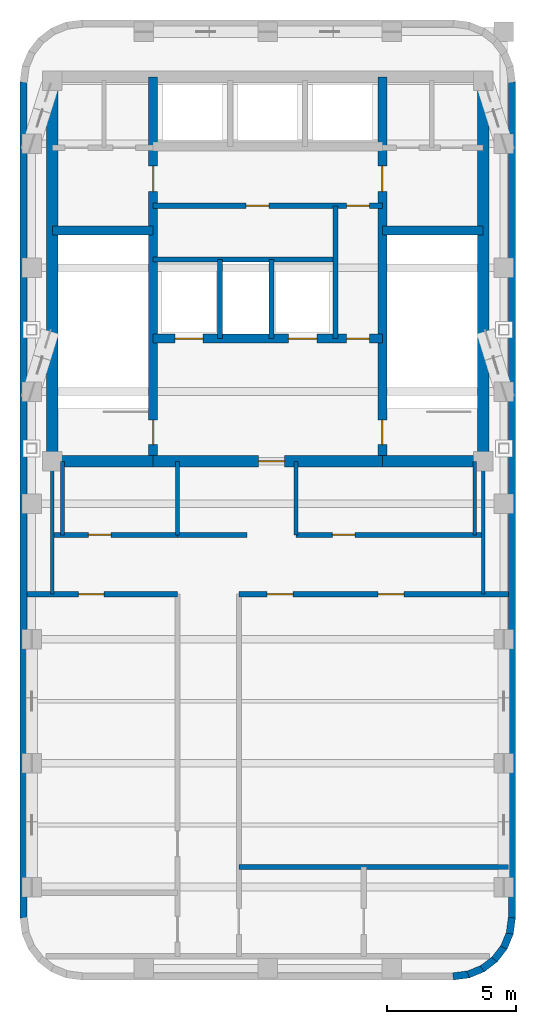
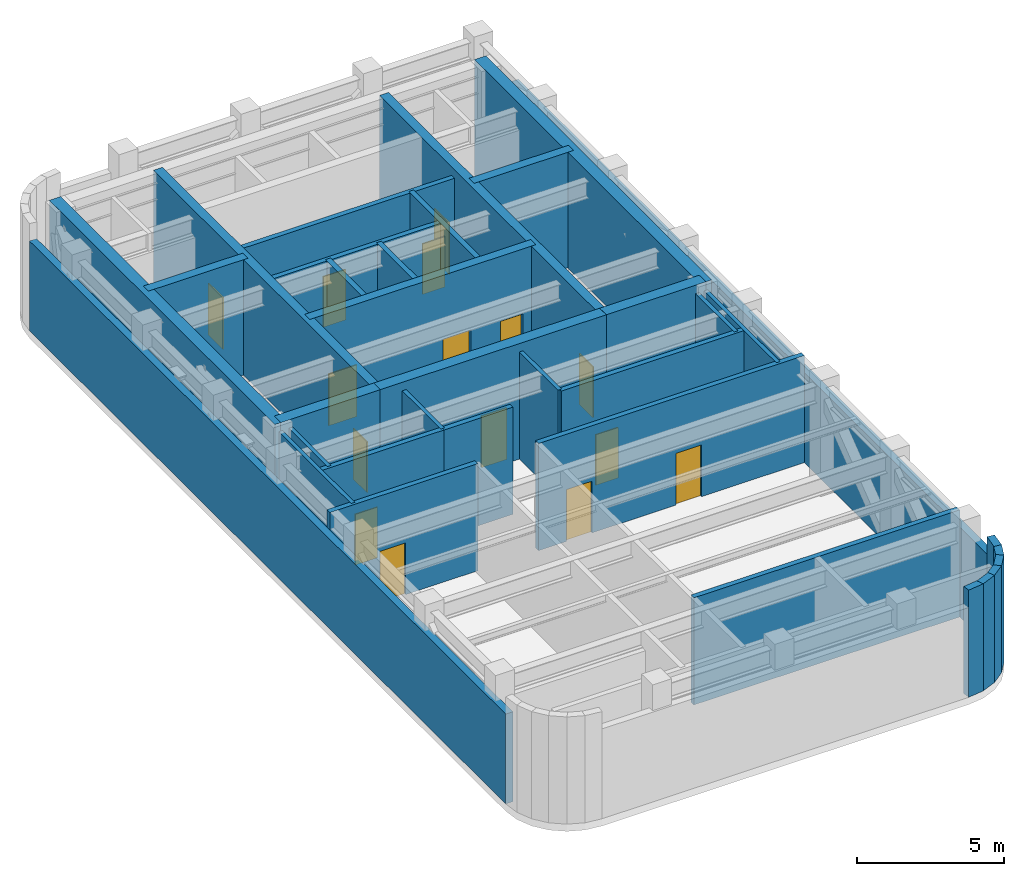
# One storey, part 3 of 5: 35 walls, 15 doors, 15 openings.
"""IFC4 building model written with IfcOpenShell, lengths in metres."""

from ifc_helpers import new_model, si_unit, direction, frame, frame_2d, origin, place, context, subcontext, project, spatial, rectangle, extrude, material, layer, layer_set, type_object, element, fill, save


model = new_model("IFC4")

# Units and contexts
model_context = context("Model", 3, precision=1e-05, world=origin(), true_north=direction((0.0, 1.0)))
body_context = subcontext(model_context, "Body", "Model", "MODEL_VIEW")
ifc_project = project(units=[si_unit("LENGTHUNIT", "METRE"), si_unit("AREAUNIT", "SQUARE_METRE"), si_unit("VOLUMEUNIT", "CUBIC_METRE"), si_unit("PLANEANGLEUNIT", "RADIAN"), si_unit("MASSUNIT", "GRAM", prefix="KILO")], contexts=[model_context])

# Site, building, storey
site_placement = place(None, origin())
site = spatial("IfcSite", under=ifc_project, at=site_placement, CompositionType="ELEMENT")
building_placement = place(site_placement, origin())
building = spatial("IfcBuilding", under=site, at=building_placement, Name="Orvandelia Arch Residences", CompositionType="ELEMENT")
storey_placement = place(building_placement, frame((0.0, 0.0, 296.199951171875)))
storey = spatial("IfcBuildingStorey", under=building, at=storey_placement, Name="L76", CompositionType="ELEMENT", Elevation=296.199951171875)

# Wall, openings, doors
ifc_material_1 = material(Name="Concrete C50/60", Category="concrete")
ifc_layer_1 = layer(ifc_material_1, 0.35009765625, Name="Concrete C50/60", Category="concrete")
ifc_layer_set_1 = layer_set([ifc_layer_1], Name="Concrete C50/60")
wall_type_1 = type_object("IfcWallType", Name="WL-CORE-350", PredefinedType="SHEAR", material=ifc_layer_set_1)
wall_1_placement = place(storey_placement, frame((9.9599609375, 30.89990234375, 0.0), z_axis=(0.0, 0.0, 1.0), x_axis=(0.0, 1.0, 0.0)))
wall_1 = element("IfcWall", 1, at=wall_1_placement, inside=storey, type_object=wall_type_1, Name="Core Shear Wall L76-WEB1", PredefinedType="SHEAR", context=body_context, shape_type="SweptSolid", body=[
    extrude(rectangle(XDim=14.900146484375, YDim=0.35009765625, at=frame_2d((7.4501953125, 0.0))), origin(), (0.0, 0.0, 1.0), 4.800048828125),
])
opening_1_placement = place(wall_1_placement, frame((0.64990234375, 0.0, 0.0)))
opening_1 = element("IfcOpeningElement", 2, at=opening_1_placement, cuts=wall_1, Name="Opening D7", PredefinedType="OPENING", context=body_context, shape_type="SweptSolid", body=[
    extrude(rectangle(XDim=0.949951171875, YDim=2.10009765625, at=frame_2d((0.47509765625, 1.050048828125))), frame((0.0, 0.18505859375, 0.0), z_axis=(0.0, -1.0, 0.0), x_axis=(1.0, 0.0, 0.0)), (0.0, 0.0, 1.0), 0.3701171875),
])
opening_2_placement = place(wall_1_placement, frame((10.449951171875, 0.0, 0.0)))
opening_2 = element("IfcOpeningElement", 3, at=opening_2_placement, cuts=wall_1, Name="Opening D6", PredefinedType="OPENING", context=body_context, shape_type="SweptSolid", body=[
    extrude(rectangle(XDim=1.0, YDim=2.14990234375, at=frame_2d((0.5, 1.074951171875))), frame((0.0, 0.18505859375, 0.0), z_axis=(0.0, -1.0, 0.0), x_axis=(1.0, 0.0, 0.0)), (0.0, 0.0, 1.0), 0.3701171875),
])
ifc_material_2 = material(Name="Smokeproof Painted Steel Fire Door", Category="steel")
door_type_1 = type_object("IfcDoorType", Name="DR-FD60-1000", OperationType="NOTDEFINED", PredefinedType="DOOR", material=ifc_material_2)
door_1_placement = place(opening_2_placement, origin())
door_1 = element("IfcDoor", 4, at=door_1_placement, inside=storey, type_object=door_type_1, Name="High-Rise Lift Hall West Vestibule Door L76", OperationType="SINGLE_SWING_LEFT", OverallHeight=2.14990234375, OverallWidth=1.0, PredefinedType="DOOR", context=body_context, shape_type="SweptSolid", body=[
    extrude(rectangle(XDim=1.0, YDim=2.14990234375, at=frame_2d((0.5, 1.074951171875))), frame((0.0, 0.02490234375, 0.0), z_axis=(0.0, -1.0, 0.0), x_axis=(1.0, 0.0, 0.0)), (0.0, 0.0, 1.0), 0.050048828125),
])
fill(opening_2, door_1)
ifc_material_3 = material(Name="Pressurised Stairwell Fire Door")
door_type_2 = type_object("IfcDoorType", Name="DR-STAIR-950", OperationType="NOTDEFINED", PredefinedType="DOOR", material=ifc_material_3)
door_2_placement = place(opening_1_placement, origin())
door_2 = element("IfcDoor", 5, at=door_2_placement, inside=storey, type_object=door_type_2, Name="Stairwell ST-1 Fire Door L76", OperationType="SINGLE_SWING_LEFT", OverallHeight=2.10009765625, OverallWidth=0.949951171875, PredefinedType="DOOR", context=body_context, shape_type="SweptSolid", body=[
    extrude(rectangle(XDim=0.949951171875, YDim=2.10009765625, at=frame_2d((0.47509765625, 1.050048828125))), frame((0.0, 0.02490234375, 0.0), z_axis=(0.0, -1.0, 0.0), x_axis=(1.0, 0.0, 0.0)), (0.0, 0.0, 1.0), 0.050048828125),
])
fill(opening_1, door_2)

wall_2_placement = place(storey_placement, frame((18.840087890625, 30.89990234375, 0.0), z_axis=(0.0, 0.0, 1.0), x_axis=(0.0, 1.0, 0.0)))
wall_2 = element("IfcWall", 6, at=wall_2_placement, inside=storey, type_object=wall_type_1, Name="Core Shear Wall L76-WEB2", PredefinedType="SHEAR", context=body_context, shape_type="SweptSolid", body=[
    extrude(rectangle(XDim=14.900146484375, YDim=0.35009765625, at=frame_2d((7.4501953125, 0.0))), origin(), (0.0, 0.0, 1.0), 4.800048828125),
])
opening_3_placement = place(wall_2_placement, frame((0.64990234375, 0.0, 0.0)))
opening_3 = element("IfcOpeningElement", 7, at=opening_3_placement, cuts=wall_2, Name="Opening D7", PredefinedType="OPENING", context=body_context, shape_type="SweptSolid", body=[
    extrude(rectangle(XDim=0.949951171875, YDim=2.10009765625, at=frame_2d((0.47509765625, 1.050048828125))), frame((0.0, 0.18505859375, 0.0), z_axis=(0.0, -1.0, 0.0), x_axis=(1.0, 0.0, 0.0)), (0.0, 0.0, 1.0), 0.3701171875),
])
opening_4_placement = place(wall_2_placement, frame((10.449951171875, 0.0, 0.0)))
opening_4 = element("IfcOpeningElement", 8, at=opening_4_placement, cuts=wall_2, Name="Opening D6", PredefinedType="OPENING", context=body_context, shape_type="SweptSolid", body=[
    extrude(rectangle(XDim=1.0, YDim=2.14990234375, at=frame_2d((0.5, 1.074951171875))), frame((0.0, 0.18505859375, 0.0), z_axis=(0.0, -1.0, 0.0), x_axis=(1.0, 0.0, 0.0)), (0.0, 0.0, 1.0), 0.3701171875),
])
door_3_placement = place(opening_4_placement, origin())
door_3 = element("IfcDoor", 9, at=door_3_placement, inside=storey, type_object=door_type_1, Name="High-Rise Lift Hall East Vestibule Door L76", OperationType="SINGLE_SWING_RIGHT", OverallHeight=2.14990234375, OverallWidth=1.0, PredefinedType="DOOR", context=body_context, shape_type="SweptSolid", body=[
    extrude(rectangle(XDim=1.0, YDim=2.14990234375, at=frame_2d((0.5, 1.074951171875))), frame((0.0, 0.02490234375, 0.0), z_axis=(0.0, -1.0, 0.0), x_axis=(1.0, 0.0, 0.0)), (0.0, 0.0, 1.0), 0.050048828125),
])
fill(opening_4, door_3)
door_4_placement = place(opening_3_placement, origin())
door_4 = element("IfcDoor", 10, at=door_4_placement, inside=storey, type_object=door_type_2, Name="Stairwell ST-2 Fire Door L76", OperationType="SINGLE_SWING_RIGHT", OverallHeight=2.10009765625, OverallWidth=0.949951171875, PredefinedType="DOOR", context=body_context, shape_type="SweptSolid", body=[
    extrude(rectangle(XDim=0.949951171875, YDim=2.10009765625, at=frame_2d((0.47509765625, 1.050048828125))), frame((0.0, 0.02490234375, 0.0), z_axis=(0.0, -1.0, 0.0), x_axis=(1.0, 0.0, 0.0)), (0.0, 0.0, 1.0), 0.050048828125),
])
fill(opening_3, door_4)

# Walls
for number, where, z_axis, x_axis, name in (
    (11, (6.050048828125, 39.85009765625, 0.0), (0.0, 0.0, 1.0), (1.0, 0.0, 0.0), "Core Shear Wall L76-HZ1"),
    (12, (18.840087890625, 39.85009765625, 0.0), (0.0, 0.0, 1.0), (1.0, 0.0, 0.0), "Core Shear Wall L76-HZ2"),
):
    element("IfcWall", number, at=place(storey_placement, frame(where, z_axis=z_axis, x_axis=x_axis)), inside=storey, type_object=wall_type_1, Name=name, PredefinedType="SHEAR", context=body_context, shape_type="SweptSolid", body=[
        extrude(rectangle(XDim=3.909912109375, YDim=0.35009765625, at=frame_2d((1.955078125, 0.0))), origin(), (0.0, 0.0, 1.0), 4.800048828125),
    ])

# Wall, openings, doors
wall_3_placement = place(storey_placement, frame((9.9599609375, 35.64990234375, 0.0), z_axis=(0.0, 0.0, 1.0), x_axis=(1.0, 0.0, 0.0)))
wall_3 = element("IfcWall", 13, at=wall_3_placement, inside=storey, type_object=wall_type_1, Name="Core Shear Wall L76-HZ3", PredefinedType="SHEAR", context=body_context, shape_type="SweptSolid", body=[
    extrude(rectangle(XDim=8.880126953125, YDim=0.35009765625, at=frame_2d((4.43994140625, 0.0))), origin(), (0.0, 0.0, 1.0), 4.800048828125),
])
opening_5_placement = place(wall_3_placement, frame((0.840087890625, 0.0, 0.0)))
opening_5 = element("IfcOpeningElement", 14, at=opening_5_placement, cuts=wall_3, Name="Opening FLD", PredefinedType="OPENING", context=body_context, shape_type="SweptSolid", body=[
    extrude(rectangle(XDim=1.10009765625, YDim=2.14990234375, at=frame_2d((0.550048828125, 1.074951171875))), frame((0.0, 0.18505859375, 0.0), z_axis=(0.0, -1.0, 0.0), x_axis=(1.0, 0.0, 0.0)), (0.0, 0.0, 1.0), 0.3701171875),
])
opening_6_placement = place(wall_3_placement, frame((5.239990234375, 0.0, 0.0)))
opening_6 = element("IfcOpeningElement", 15, at=opening_6_placement, cuts=wall_3, Name="Opening FLD", PredefinedType="OPENING", context=body_context, shape_type="SweptSolid", body=[
    extrude(rectangle(XDim=1.10009765625, YDim=2.14990234375, at=frame_2d((0.550048828125, 1.074951171875))), frame((0.0, 0.18505859375, 0.0), z_axis=(0.0, -1.0, 0.0), x_axis=(1.0, 0.0, 0.0)), (0.0, 0.0, 1.0), 0.3701171875),
])
opening_7_placement = place(wall_3_placement, frame((7.5, 0.0, 0.0)))
opening_7 = element("IfcOpeningElement", 16, at=opening_7_placement, cuts=wall_3, Name="Opening D5", PredefinedType="OPENING", context=body_context, shape_type="SweptSolid", body=[
    extrude(rectangle(XDim=0.8798828125, YDim=2.10009765625, at=frame_2d((0.43994140625, 1.050048828125))), frame((0.0, 0.18505859375, 0.0), z_axis=(0.0, -1.0, 0.0), x_axis=(1.0, 0.0, 0.0)), (0.0, 0.0, 1.0), 0.3701171875),
])
ifc_material_4 = material(Name="Firefighting Lift Stainless Sliding Door")
door_type_3 = type_object("IfcDoorType", Name="DR-FLFT-1100", OperationType="NOTDEFINED", PredefinedType="DOOR", material=ifc_material_4)
door_5_placement = place(opening_5_placement, origin())
door_5 = element("IfcDoor", 17, at=door_5_placement, inside=storey, type_object=door_type_3, Name="Firefighting Lift Landing Door FLD-FL1-L76", OperationType="SLIDING_TO_LEFT", OverallHeight=2.14990234375, OverallWidth=1.10009765625, PredefinedType="DOOR", context=body_context, shape_type="SweptSolid", body=[
    extrude(rectangle(XDim=1.10009765625, YDim=2.14990234375, at=frame_2d((0.550048828125, 1.074951171875))), frame((0.0, 0.02490234375, 0.0), z_axis=(0.0, -1.0, 0.0), x_axis=(1.0, 0.0, 0.0)), (0.0, 0.0, 1.0), 0.050048828125),
])
fill(opening_5, door_5)
door_6_placement = place(opening_6_placement, origin())
door_6 = element("IfcDoor", 18, at=door_6_placement, inside=storey, type_object=door_type_3, Name="Firefighting Lift Landing Door FLD-FL2-L76", OperationType="SLIDING_TO_RIGHT", OverallHeight=2.14990234375, OverallWidth=1.10009765625, PredefinedType="DOOR", context=body_context, shape_type="SweptSolid", body=[
    extrude(rectangle(XDim=1.10009765625, YDim=2.14990234375, at=frame_2d((0.550048828125, 1.074951171875))), frame((0.0, 0.02490234375, 0.0), z_axis=(0.0, -1.0, 0.0), x_axis=(1.0, 0.0, 0.0)), (0.0, 0.0, 1.0), 0.050048828125),
])
fill(opening_6, door_6)
ifc_material_5 = material(Name="Painted Galvanised Steel Service Door", Category="steel")
door_type_4 = type_object("IfcDoorType", Name="DR-SRV-880", OperationType="NOTDEFINED", PredefinedType="DOOR", material=ifc_material_5)
door_7_placement = place(opening_7_placement, origin())
door_7 = element("IfcDoor", 19, at=door_7_placement, inside=storey, type_object=door_type_4, Name="Core Stairway Passage South Fire Door L76", OperationType="SINGLE_SWING_LEFT", OverallHeight=2.10009765625, OverallWidth=0.8798828125, PredefinedType="DOOR", context=body_context, shape_type="SweptSolid", body=[
    extrude(rectangle(XDim=0.8798828125, YDim=2.10009765625, at=frame_2d((0.43994140625, 1.050048828125))), frame((0.0, 0.02490234375, 0.0), z_axis=(0.0, -1.0, 0.0), x_axis=(1.0, 0.0, 0.0)), (0.0, 0.0, 1.0), 0.050048828125),
])
fill(opening_7, door_7)

# Walls
ifc_layer_2 = layer(ifc_material_1, 0.449951171875, Name="Concrete C50/60", Category="concrete")
ifc_layer_set_2 = layer_set([ifc_layer_2], Name="Concrete C50/60")
wall_type_2 = type_object("IfcWallType", Name="WL-CORE-450", PredefinedType="SHEAR", material=ifc_layer_set_2)
for number, where, z_axis, x_axis, name in (
    (20, (6.050048828125, 30.675048828125, 0.0), (0.0, 0.0, 1.0), (0.0, 1.0, 0.0), "Core Shear Wall L76-W"),
    (21, (22.75, 30.675048828125, 0.0), (0.0, 0.0, 1.0), (0.0, 1.0, 0.0), "Core Shear Wall L76-E"),
):
    element("IfcWall", number, at=place(storey_placement, frame(where, z_axis=z_axis, x_axis=x_axis)), inside=storey, type_object=wall_type_2, Name=name, PredefinedType="SHEAR", context=body_context, shape_type="SweptSolid", body=[
        extrude(rectangle(XDim=15.349853515625, YDim=0.449951171875, at=frame_2d((7.6748046875, 0.0))), origin(), (0.0, 0.0, 1.0), 4.800048828125),
    ])
wall_4_placement = place(storey_placement, frame((6.050048828125, 30.89990234375, 0.0), z_axis=(0.0, 0.0, 1.0), x_axis=(1.0, 0.0, 0.0)))
element("IfcWall", 22, at=wall_4_placement, inside=storey, type_object=wall_type_2, Name="Core Shear Wall L76-SW", PredefinedType="SHEAR", context=body_context, shape_type="SweptSolid", body=[
    extrude(rectangle(XDim=3.909912109375, YDim=0.449951171875, at=frame_2d((1.955078125, 0.0))), origin(), (0.0, 0.0, 1.0), 4.800048828125),
])

# Wall, opening, door
wall_5_placement = place(storey_placement, frame((9.9599609375, 30.89990234375, 0.0), z_axis=(0.0, 0.0, 1.0), x_axis=(1.0, 0.0, 0.0)))
wall_5 = element("IfcWall", 23, at=wall_5_placement, inside=storey, type_object=wall_type_2, Name="Core Shear Wall L76-SM", PredefinedType="SHEAR", context=body_context, shape_type="SweptSolid", body=[
    extrude(rectangle(XDim=8.880126953125, YDim=0.449951171875, at=frame_2d((4.43994140625, 0.0))), origin(), (0.0, 0.0, 1.0), 4.800048828125),
])
opening_8_placement = place(wall_5_placement, frame((4.090087890625, 0.0, 0.0)))
opening_8 = element("IfcOpeningElement", 24, at=opening_8_placement, cuts=wall_5, Name="Opening D6", PredefinedType="OPENING", context=body_context, shape_type="SweptSolid", body=[
    extrude(rectangle(XDim=1.0, YDim=2.14990234375, at=frame_2d((0.5, 1.074951171875))), frame((0.0, 0.23486328125, 0.0), z_axis=(0.0, -1.0, 0.0), x_axis=(1.0, 0.0, 0.0)), (0.0, 0.0, 1.0), 0.469970703125),
])
door_8_placement = place(opening_8_placement, origin())
door_8 = element("IfcDoor", 25, at=door_8_placement, inside=storey, type_object=door_type_1, Name="Firefighting Lobby Smokeproof Door L76", OperationType="SINGLE_SWING_LEFT", OverallHeight=2.14990234375, OverallWidth=1.0, PredefinedType="DOOR", context=body_context, shape_type="SweptSolid", body=[
    extrude(rectangle(XDim=1.0, YDim=2.14990234375, at=frame_2d((0.5, 1.074951171875))), frame((0.0, 0.02490234375, 0.0), z_axis=(0.0, -1.0, 0.0), x_axis=(1.0, 0.0, 0.0)), (0.0, 0.0, 1.0), 0.050048828125),
])
fill(opening_8, door_8)

# Wall
wall_6_placement = place(storey_placement, frame((18.840087890625, 30.89990234375, 0.0), z_axis=(0.0, 0.0, 1.0), x_axis=(1.0, 0.0, 0.0)))
element("IfcWall", 26, at=wall_6_placement, inside=storey, type_object=wall_type_2, Name="Core Shear Wall L76-SE", PredefinedType="SHEAR", context=body_context, shape_type="SweptSolid", body=[
    extrude(rectangle(XDim=3.909912109375, YDim=0.449951171875, at=frame_2d((1.955078125, 0.0))), origin(), (0.0, 0.0, 1.0), 4.800048828125),
])

# Wall, opening, door
ifc_material_6 = material(Name="Fire-Rated Corridor Partition")
ifc_layer_3 = layer(ifc_material_6, 0.199951171875, Name="Fire-Rated Corridor Partition")
ifc_layer_set_3 = layer_set([ifc_layer_3], Name="Fire-Rated Corridor Partition")
wall_type_3 = type_object("IfcWallType", Name="WL-CORR-200", PredefinedType="PARTITIONING", material=ifc_layer_set_3)
wall_7_placement = place(storey_placement, frame((6.050048828125, 28.050048828125, 0.0), z_axis=(0.0, 0.0, 1.0), x_axis=(1.0, 0.0, 0.0)))
wall_7 = element("IfcWall", 27, at=wall_7_placement, inside=storey, type_object=wall_type_3, Name="Interior Partition Wall WL-L76-HI-N1S", PredefinedType="PARTITIONING", context=body_context, shape_type="SweptSolid", body=[
    extrude(rectangle(XDim=4.849853515625, YDim=0.199951171875, at=frame_2d((2.4248046875, 0.0))), origin(), (0.0, 0.0, 1.0), 4.449951171875),
])
opening_9_placement = place(wall_7_placement, frame((1.39990234375, 0.0, 0.0)))
opening_9 = element("IfcOpeningElement", 28, at=opening_9_placement, cuts=wall_7, Name="Opening D5", PredefinedType="OPENING", context=body_context, shape_type="SweptSolid", body=[
    extrude(rectangle(XDim=0.8798828125, YDim=2.10009765625, at=frame_2d((0.43994140625, 1.050048828125))), frame((0.0, 0.10986328125, 0.0), z_axis=(0.0, -1.0, 0.0), x_axis=(1.0, 0.0, 0.0)), (0.0, 0.0, 1.0), 0.219970703125),
])
door_9_placement = place(opening_9_placement, origin())
door_9 = element("IfcDoor", 29, at=door_9_placement, inside=storey, type_object=door_type_4, Name="DR-L76-HIR1", OperationType="SINGLE_SWING_LEFT", OverallHeight=2.10009765625, OverallWidth=0.8798828125, PredefinedType="DOOR", context=body_context, shape_type="SweptSolid", body=[
    extrude(rectangle(XDim=0.8798828125, YDim=2.10009765625, at=frame_2d((0.43994140625, 1.050048828125))), frame((0.0, 0.02490234375, 0.0), z_axis=(0.0, -1.0, 0.0), x_axis=(1.0, 0.0, 0.0)), (0.0, 0.0, 1.0), 0.050048828125),
])
fill(opening_9, door_9)

wall_8_placement = place(storey_placement, frame((15.5, 28.050048828125, 0.0), z_axis=(0.0, 0.0, 1.0), x_axis=(1.0, 0.0, 0.0)))
wall_8 = element("IfcWall", 30, at=wall_8_placement, inside=storey, type_object=wall_type_3, Name="Interior Partition Wall WL-L76-HI-N2S", PredefinedType="PARTITIONING", context=body_context, shape_type="SweptSolid", body=[
    extrude(rectangle(XDim=7.25, YDim=0.199951171875, at=frame_2d((3.625, 0.0))), origin(), (0.0, 0.0, 1.0), 4.449951171875),
])
opening_10_placement = place(wall_8_placement, frame((1.39990234375, 0.0, 0.0)))
opening_10 = element("IfcOpeningElement", 31, at=opening_10_placement, cuts=wall_8, Name="Opening D5", PredefinedType="OPENING", context=body_context, shape_type="SweptSolid", body=[
    extrude(rectangle(XDim=0.8798828125, YDim=2.10009765625, at=frame_2d((0.43994140625, 1.050048828125))), frame((0.0, 0.10986328125, 0.0), z_axis=(0.0, -1.0, 0.0), x_axis=(1.0, 0.0, 0.0)), (0.0, 0.0, 1.0), 0.219970703125),
])
door_10_placement = place(opening_10_placement, origin())
door_10 = element("IfcDoor", 32, at=door_10_placement, inside=storey, type_object=door_type_4, Name="DR-L76-HIR2", OperationType="SINGLE_SWING_RIGHT", OverallHeight=2.10009765625, OverallWidth=0.8798828125, PredefinedType="DOOR", context=body_context, shape_type="SweptSolid", body=[
    extrude(rectangle(XDim=0.8798828125, YDim=2.10009765625, at=frame_2d((0.43994140625, 1.050048828125))), frame((0.0, 0.02490234375, 0.0), z_axis=(0.0, -1.0, 0.0), x_axis=(1.0, 0.0, 0.0)), (0.0, 0.0, 1.0), 0.050048828125),
])
fill(opening_10, door_10)

# Wall
wall_9_placement = place(storey_placement, frame((10.89990234375, 28.050048828125, 0.0), z_axis=(0.0, 0.0, 1.0), x_axis=(1.0, 0.0, 0.0)))
element("IfcWall", 33, at=wall_9_placement, inside=storey, type_object=wall_type_3, Name="Interior Partition Wall WL-L76-HI-N11", PredefinedType="PARTITIONING", context=body_context, shape_type="SweptSolid", body=[
    extrude(rectangle(XDim=2.7001953125, YDim=0.199951171875, at=frame_2d((1.35009765625, 0.0))), origin(), (0.0, 0.0, 1.0), 4.449951171875),
])

# Wall, openings, doors
wall_10_placement = place(storey_placement, frame((13.280029296875, 25.75, 0.0), z_axis=(0.0, 0.0, 1.0), x_axis=(1.0, 0.0, 0.0)))
wall_10 = element("IfcWall", 34, at=wall_10_placement, inside=storey, type_object=wall_type_3, Name="Interior Partition Wall WL-L76-REF-N", PredefinedType="PARTITIONING", context=body_context, shape_type="SweptSolid", body=[
    extrude(rectangle(XDim=10.43994140625, YDim=0.199951171875, at=frame_2d((5.219970703125, 0.0))), origin(), (0.0, 0.0, 1.0), 4.449951171875),
])
opening_11_placement = place(wall_10_placement, frame((1.10009765625, 0.0, 0.0)))
opening_11 = element("IfcOpeningElement", 35, at=opening_11_placement, cuts=wall_10, Name="Opening D6", PredefinedType="OPENING", context=body_context, shape_type="SweptSolid", body=[
    extrude(rectangle(XDim=1.0, YDim=2.14990234375, at=frame_2d((0.5, 1.074951171875))), frame((0.0, 0.10986328125, 0.0), z_axis=(0.0, -1.0, 0.0), x_axis=(1.0, 0.0, 0.0)), (0.0, 0.0, 1.0), 0.219970703125),
])
opening_12_placement = place(wall_10_placement, frame((5.39990234375, 0.0, 0.0)))
opening_12 = element("IfcOpeningElement", 36, at=opening_12_placement, cuts=wall_10, Name="Opening D6", PredefinedType="OPENING", context=body_context, shape_type="SweptSolid", body=[
    extrude(rectangle(XDim=1.0, YDim=2.14990234375, at=frame_2d((0.5, 1.074951171875))), frame((0.0, 0.10986328125, 0.0), z_axis=(0.0, -1.0, 0.0), x_axis=(1.0, 0.0, 0.0)), (0.0, 0.0, 1.0), 0.219970703125),
])
door_11_placement = place(opening_11_placement, origin())
door_11 = element("IfcDoor", 37, at=door_11_placement, inside=storey, type_object=door_type_1, Name="Refuge Safety Zone East Fire Door 1 L76", OperationType="SINGLE_SWING_LEFT", OverallHeight=2.14990234375, OverallWidth=1.0, PredefinedType="DOOR", context=body_context, shape_type="SweptSolid", body=[
    extrude(rectangle(XDim=1.0, YDim=2.14990234375, at=frame_2d((0.5, 1.074951171875))), frame((0.0, 0.02490234375, 0.0), z_axis=(0.0, -1.0, 0.0), x_axis=(1.0, 0.0, 0.0)), (0.0, 0.0, 1.0), 0.050048828125),
])
fill(opening_11, door_11)
door_12_placement = place(opening_12_placement, origin())
door_12 = element("IfcDoor", 38, at=door_12_placement, inside=storey, type_object=door_type_1, Name="Refuge Safety Zone East Fire Door 2 L76", OperationType="SINGLE_SWING_RIGHT", OverallHeight=2.14990234375, OverallWidth=1.0, PredefinedType="DOOR", context=body_context, shape_type="SweptSolid", body=[
    extrude(rectangle(XDim=1.0, YDim=2.14990234375, at=frame_2d((0.5, 1.074951171875))), frame((0.0, 0.02490234375, 0.0), z_axis=(0.0, -1.0, 0.0), x_axis=(1.0, 0.0, 0.0)), (0.0, 0.0, 1.0), 0.050048828125),
])
fill(opening_12, door_12)

# Wall
wall_11_placement = place(storey_placement, frame((13.280029296875, 15.179931640625, 0.0), z_axis=(0.0, 0.0, 1.0), x_axis=(1.0, 0.0, 0.0)))
element("IfcWall", 39, at=wall_11_placement, inside=storey, type_object=wall_type_3, Name="Interior Partition Wall WL-L76-REF-S", PredefinedType="PARTITIONING", context=body_context, shape_type="SweptSolid", body=[
    extrude(rectangle(XDim=10.43994140625, YDim=0.199951171875, at=frame_2d((5.219970703125, 0.0))), origin(), (0.0, 0.0, 1.0), 4.449951171875),
])

# Wall, opening, door
wall_12_placement = place(storey_placement, frame((5.080078125, 25.75, 0.0), z_axis=(0.0, 0.0, 1.0), x_axis=(1.0, 0.0, 0.0)))
wall_12 = element("IfcWall", 40, at=wall_12_placement, inside=storey, type_object=wall_type_3, Name="Interior Partition Wall WL-L76-PC-NW", PredefinedType="PARTITIONING", context=body_context, shape_type="SweptSolid", body=[
    extrude(rectangle(XDim=5.81982421875, YDim=0.199951171875, at=frame_2d((2.909912109375, 0.0))), origin(), (0.0, 0.0, 1.0), 4.449951171875),
])
opening_13_placement = place(wall_12_placement, frame((1.97998046875, 0.0, 0.0)))
opening_13 = element("IfcOpeningElement", 41, at=opening_13_placement, cuts=wall_12, Name="Opening D6", PredefinedType="OPENING", context=body_context, shape_type="SweptSolid", body=[
    extrude(rectangle(XDim=1.0, YDim=2.14990234375, at=frame_2d((0.5, 1.074951171875))), frame((0.0, 0.10986328125, 0.0), z_axis=(0.0, -1.0, 0.0), x_axis=(1.0, 0.0, 0.0)), (0.0, 0.0, 1.0), 0.219970703125),
])
door_13_placement = place(opening_13_placement, origin())
door_13 = element("IfcDoor", 42, at=door_13_placement, inside=storey, type_object=door_type_1, Name="Refuge Safety Zone West Fire Door 1 L76", OperationType="SINGLE_SWING_RIGHT", OverallHeight=2.14990234375, OverallWidth=1.0, PredefinedType="DOOR", context=body_context, shape_type="SweptSolid", body=[
    extrude(rectangle(XDim=1.0, YDim=2.14990234375, at=frame_2d((0.5, 1.074951171875))), frame((0.0, 0.02490234375, 0.0), z_axis=(0.0, -1.0, 0.0), x_axis=(1.0, 0.0, 0.0)), (0.0, 0.0, 1.0), 0.050048828125),
])
fill(opening_13, door_13)

# Walls
ifc_material_7 = material(Name="Precast concrete C40/50", Category="concrete")
ifc_layer_4 = layer(ifc_material_7, 0.280029296875, Name="Precast concrete C40/50", Category="concrete")
ifc_layer_set_4 = layer_set([ifc_layer_4], Name="Precast concrete C40/50")
wall_type_4 = type_object("IfcWallType", Name="WL-EXT-STONE-280", PredefinedType="STANDARD", material=ifc_layer_set_4)
wall_13_placement = place(storey_placement, frame((23.860107421875, 45.60009765625, 0.0), z_axis=(0.0, 0.0, 1.0), x_axis=(0.0, -1.0, 0.0)))
element("IfcWall", 43, at=wall_13_placement, inside=storey, type_object=wall_type_4, Name="Coral-Limestone Precast Facade Wall L76-014", PredefinedType="STANDARD", context=body_context, shape_type="SweptSolid", body=[
    extrude(rectangle(XDim=32.400146484375, YDim=0.280029296875, at=frame_2d((16.2001953125, 0.0))), origin(), (0.0, 0.0, 1.0), 3.72998046875),
])
wall_14_placement = place(storey_placement, frame((23.861083984375, 13.21826171875, 0.0), z_axis=(0.0, 0.0, 1.0), x_axis=(-0.130555323746, -0.9914410257, 0.0)))
element("IfcWall", 44, at=wall_14_placement, inside=storey, type_object=wall_type_4, Name="Coral-Limestone Precast Facade Wall L76-015", PredefinedType="STANDARD", context=body_context, shape_type="SweptSolid", body=[
    extrude(rectangle(XDim=0.62646484375, YDim=0.280029296875, at=frame_2d((0.313232421875, 0.0))), origin(), (0.0, 0.0, 1.0), 4.449951171875),
])
wall_15_placement = place(storey_placement, frame((23.788818359375, 12.63232421875, 0.0), z_axis=(0.0, 0.0, 1.0), x_axis=(-0.382455093999, -0.923974080304, 0.0)))
element("IfcWall", 45, at=wall_15_placement, inside=storey, type_object=wall_type_4, Name="Coral-Limestone Precast Facade Wall L76-016", PredefinedType="STANDARD", context=body_context, shape_type="SweptSolid", body=[
    extrude(rectangle(XDim=0.626220703125, YDim=0.280029296875, at=frame_2d((0.31298828125, 0.0))), origin(), (0.0, 0.0, 1.0), 4.449951171875),
])
for number, where, z_axis, x_axis, name in (
    (46, (23.5673828125, 12.085205078125, 0.0), (0.0, 0.0, 1.0), (-0.608693302629, -0.793405610854, 0.0), "Coral-Limestone Precast Facade Wall L76-017"),
    (47, (23.2119140625, 11.614013671875, 0.0), (0.0, 0.0, 1.0), (-0.793405610854, -0.608693302629, 0.0), "Coral-Limestone Precast Facade Wall L76-018"),
    (48, (22.746337890625, 11.250732421875, 0.0), (0.0, 0.0, 1.0), (-0.92389335771, -0.382650053678, 0.0), "Coral-Limestone Precast Facade Wall L76-019"),
    (49, (22.202880859375, 11.0205078125, 0.0), (0.0, 0.0, 1.0), (-0.9914410257, -0.130555323746, 0.0), "Coral-Limestone Precast Facade Wall L76-020"),
):
    element("IfcWall", number, at=place(storey_placement, frame(where, z_axis=z_axis, x_axis=x_axis)), inside=storey, type_object=wall_type_4, Name=name, PredefinedType="STANDARD", context=body_context, shape_type="SweptSolid", body=[
        extrude(rectangle(XDim=0.62646484375, YDim=0.280029296875, at=frame_2d((0.313232421875, 0.0))), origin(), (0.0, 0.0, 1.0), 4.449951171875),
    ])
wall_16_placement = place(storey_placement, frame((4.93994140625, 13.199951171875, 0.0), z_axis=(0.0, 0.0, 1.0), x_axis=(0.0, 1.0, 0.0)))
element("IfcWall", 50, at=wall_16_placement, inside=storey, type_object=wall_type_4, Name="Coral-Limestone Precast Facade Wall L76-028", PredefinedType="STANDARD", context=body_context, shape_type="SweptSolid", body=[
    extrude(rectangle(XDim=32.400146484375, YDim=0.280029296875, at=frame_2d((16.2001953125, 0.0))), origin(), (0.0, 0.0, 1.0), 3.72998046875),
])
ifc_material_8 = material(Name="Acoustic Gypsum Stud Partition")
ifc_layer_5 = layer(ifc_material_8, 0.14990234375, Name="Acoustic Gypsum Stud Partition")
ifc_layer_set_5 = layer_set([ifc_layer_5], Name="Acoustic Gypsum Stud Partition")
wall_type_5 = type_object("IfcWallType", Name="WL-PART-150", PredefinedType="PARTITIONING", material=ifc_layer_set_5)
for number, where, z_axis, x_axis, name in (
    (51, (10.89990234375, 28.050048828125, 0.0), (0.0, 0.0, 1.0), (0.0, 1.0, 0.0), "Interior Partition Wall WL-L76-HI-W1"),
    (52, (15.5, 28.050048828125, 0.0), (0.0, 0.0, 1.0), (0.0, 1.0, 0.0), "Interior Partition Wall WL-L76-HI-W2"),
):
    element("IfcWall", number, at=place(storey_placement, frame(where, z_axis=z_axis, x_axis=x_axis)), inside=storey, type_object=wall_type_5, Name=name, PredefinedType="PARTITIONING", context=body_context, shape_type="SweptSolid", body=[
        extrude(rectangle(XDim=2.849853515625, YDim=0.14990234375, at=frame_2d((1.4248046875, 0.0))), origin(), (0.0, 0.0, 1.0), 4.449951171875),
    ])
for number, where, z_axis, x_axis, name in (
    (53, (6.050048828125, 25.75, 0.0), (0.0, 0.0, 1.0), (0.0, 1.0, 0.0), "Interior Partition Wall WL-L76-HI-WW"),
    (54, (22.75, 25.75, 0.0), (0.0, 0.0, 1.0), (0.0, 1.0, 0.0), "Interior Partition Wall WL-L76-HI-WE"),
):
    element("IfcWall", number, at=place(storey_placement, frame(where, z_axis=z_axis, x_axis=x_axis)), inside=storey, type_object=wall_type_5, Name=name, PredefinedType="PARTITIONING", context=body_context, shape_type="SweptSolid", body=[
        extrude(rectangle(XDim=5.14990234375, YDim=0.14990234375, at=frame_2d((2.574951171875, 0.0))), origin(), (0.0, 0.0, 1.0), 4.449951171875),
    ])
for number, where, z_axis, x_axis, name in (
    (55, (6.449951171875, 28.050048828125, 0.0), (0.0, 0.0, 1.0), (0.0, 1.0, 0.0), "Interior Partition Wall WL-L76-HI-WIN"),
    (56, (22.419921875, 28.050048828125, 0.0), (0.0, 0.0, 1.0), (0.0, 1.0, 0.0), "Interior Partition Wall WL-L76-HI-EIN"),
):
    element("IfcWall", number, at=place(storey_placement, frame(where, z_axis=z_axis, x_axis=x_axis)), inside=storey, type_object=wall_type_5, Name=name, PredefinedType="PARTITIONING", context=body_context, shape_type="SweptSolid", body=[
        extrude(rectangle(XDim=2.849853515625, YDim=0.14990234375, at=frame_2d((1.4248046875, 0.0))), origin(), (0.0, 0.0, 1.0), 4.449951171875),
    ])
ifc_material_9 = material(Name="Fire-Rated Shaft Enclosure Wall")
ifc_layer_6 = layer(ifc_material_9, 0.199951171875, Name="Fire-Rated Shaft Enclosure Wall")
ifc_layer_set_6 = layer_set([ifc_layer_6], Name="Fire-Rated Shaft Enclosure Wall")
wall_type_6 = type_object("IfcWallType", Name="WL-SHAFT-200", PredefinedType="POLYGONAL", material=ifc_layer_set_6)
wall_17_placement = place(storey_placement, frame((9.9599609375, 38.719970703125, 0.0), z_axis=(0.0, 0.0, 1.0), x_axis=(1.0, 0.0, 0.0)))
element("IfcWall", 57, at=wall_17_placement, inside=storey, type_object=wall_type_6, Name="Interior Partition Wall WL-L76-FLN", PredefinedType="POLYGONAL", context=body_context, shape_type="SweptSolid", body=[
    extrude(rectangle(XDim=7.06005859375, YDim=0.199951171875, at=frame_2d((3.530029296875, 0.0))), origin(), (0.0, 0.0, 1.0), 4.449951171875),
])
for number, where, z_axis, x_axis, name in (
    (58, (12.550048828125, 35.64990234375, 0.0), (0.0, 0.0, 1.0), (0.0, 1.0, 0.0), "Interior Partition Wall WL-L76-FLM1"),
    (59, (14.550048828125, 35.64990234375, 0.0), (0.0, 0.0, 1.0), (0.0, 1.0, 0.0), "Interior Partition Wall WL-L76-FLM2"),
):
    element("IfcWall", number, at=place(storey_placement, frame(where, z_axis=z_axis, x_axis=x_axis)), inside=storey, type_object=wall_type_6, Name=name, PredefinedType="POLYGONAL", context=body_context, shape_type="SweptSolid", body=[
        extrude(rectangle(XDim=3.070068359375, YDim=0.199951171875, at=frame_2d((1.53515625, 0.0))), origin(), (0.0, 0.0, 1.0), 4.449951171875),
    ])
wall_18_placement = place(storey_placement, frame((17.02001953125, 35.64990234375, 0.0), z_axis=(0.0, 0.0, 1.0), x_axis=(0.0, 1.0, 0.0)))
element("IfcWall", 60, at=wall_18_placement, inside=storey, type_object=wall_type_6, Name="Interior Partition Wall WL-L76-FLM3", PredefinedType="POLYGONAL", context=body_context, shape_type="SweptSolid", body=[
    extrude(rectangle(XDim=5.150146484375, YDim=0.199951171875, at=frame_2d((2.5751953125, 0.0))), origin(), (0.0, 0.0, 1.0), 4.449951171875),
])

# Wall, openings, doors
wall_19_placement = place(storey_placement, frame((9.9599609375, 40.800048828125, 0.0), z_axis=(0.0, 0.0, 1.0), x_axis=(1.0, 0.0, 0.0)))
wall_19 = element("IfcWall", 61, at=wall_19_placement, inside=storey, type_object=wall_type_6, Name="Interior Partition Wall WL-L76-HLH-S", PredefinedType="POLYGONAL", context=body_context, shape_type="SweptSolid", body=[
    extrude(rectangle(XDim=8.880126953125, YDim=0.199951171875, at=frame_2d((4.43994140625, 0.0))), origin(), (0.0, 0.0, 1.0), 4.449951171875),
])
opening_14_placement = place(wall_19_placement, frame((7.5, 0.0, 0.0)))
opening_14 = element("IfcOpeningElement", 62, at=opening_14_placement, cuts=wall_19, Name="Opening D5", PredefinedType="OPENING", context=body_context, shape_type="SweptSolid", body=[
    extrude(rectangle(XDim=0.8798828125, YDim=2.10009765625, at=frame_2d((0.43994140625, 1.050048828125))), frame((0.0, 0.10986328125, 0.0), z_axis=(0.0, -1.0, 0.0), x_axis=(1.0, 0.0, 0.0)), (0.0, 0.0, 1.0), 0.219970703125),
])
opening_15_placement = place(wall_19_placement, frame((3.60009765625, 0.0, 0.0)))
opening_15 = element("IfcOpeningElement", 63, at=opening_15_placement, cuts=wall_19, Name="Opening D5", PredefinedType="OPENING", context=body_context, shape_type="SweptSolid", body=[
    extrude(rectangle(XDim=0.8798828125, YDim=2.10009765625, at=frame_2d((0.43994140625, 1.050048828125))), frame((0.0, 0.10986328125, 0.0), z_axis=(0.0, -1.0, 0.0), x_axis=(1.0, 0.0, 0.0)), (0.0, 0.0, 1.0), 0.219970703125),
])
door_14_placement = place(opening_14_placement, origin())
door_14 = element("IfcDoor", 64, at=door_14_placement, inside=storey, type_object=door_type_4, Name="Core Stairway Passage North Fire Door L76", OperationType="SINGLE_SWING_RIGHT", OverallHeight=2.10009765625, OverallWidth=0.8798828125, PredefinedType="DOOR", context=body_context, shape_type="SweptSolid", body=[
    extrude(rectangle(XDim=0.8798828125, YDim=2.10009765625, at=frame_2d((0.43994140625, 1.050048828125))), frame((0.0, 0.02490234375, 0.0), z_axis=(0.0, -1.0, 0.0), x_axis=(1.0, 0.0, 0.0)), (0.0, 0.0, 1.0), 0.050048828125),
])
fill(opening_14, door_14)
door_15_placement = place(opening_15_placement, origin())
door_15 = element("IfcDoor", 65, at=door_15_placement, inside=storey, type_object=door_type_4, Name="DR-L76-CSA1", OperationType="SINGLE_SWING_LEFT", OverallHeight=2.10009765625, OverallWidth=0.8798828125, PredefinedType="DOOR", context=body_context, shape_type="SweptSolid", body=[
    extrude(rectangle(XDim=0.8798828125, YDim=2.10009765625, at=frame_2d((0.43994140625, 1.050048828125))), frame((0.0, 0.02490234375, 0.0), z_axis=(0.0, -1.0, 0.0), x_axis=(1.0, 0.0, 0.0)), (0.0, 0.0, 1.0), 0.050048828125),
])
fill(opening_15, door_15)

save(model, "model.ifc")
